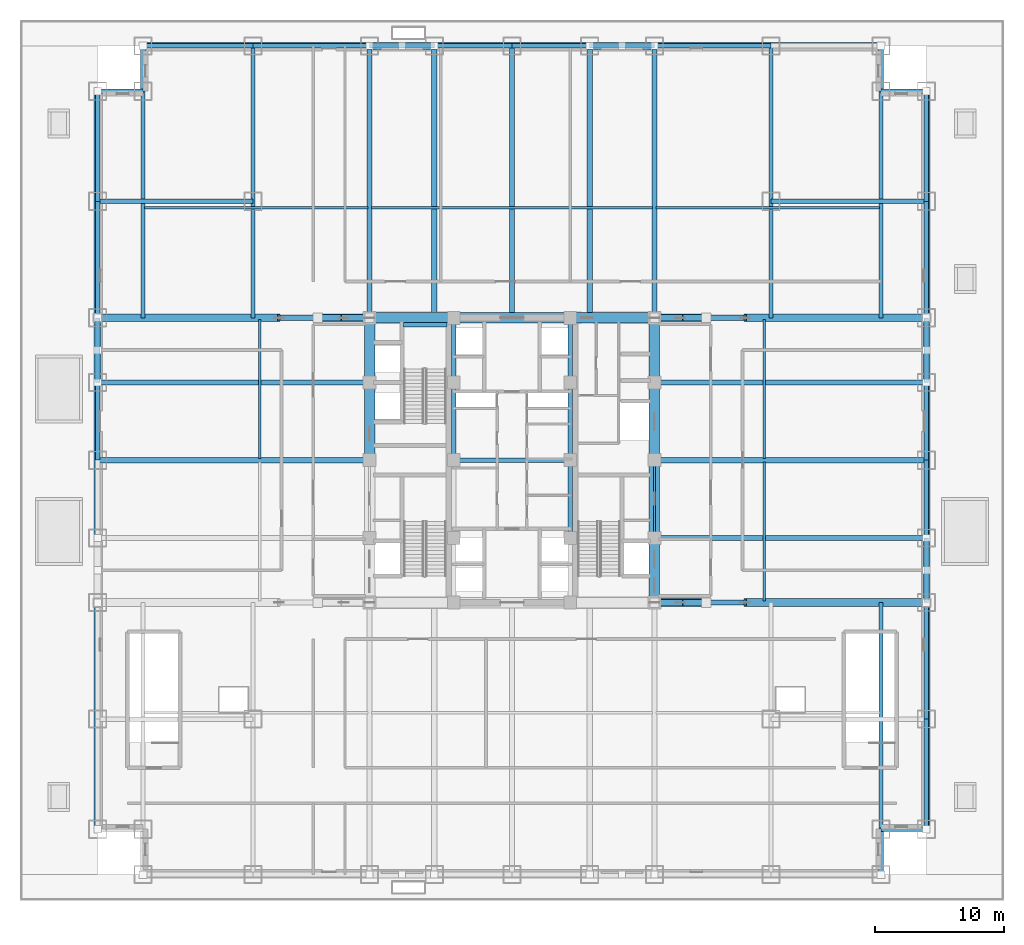
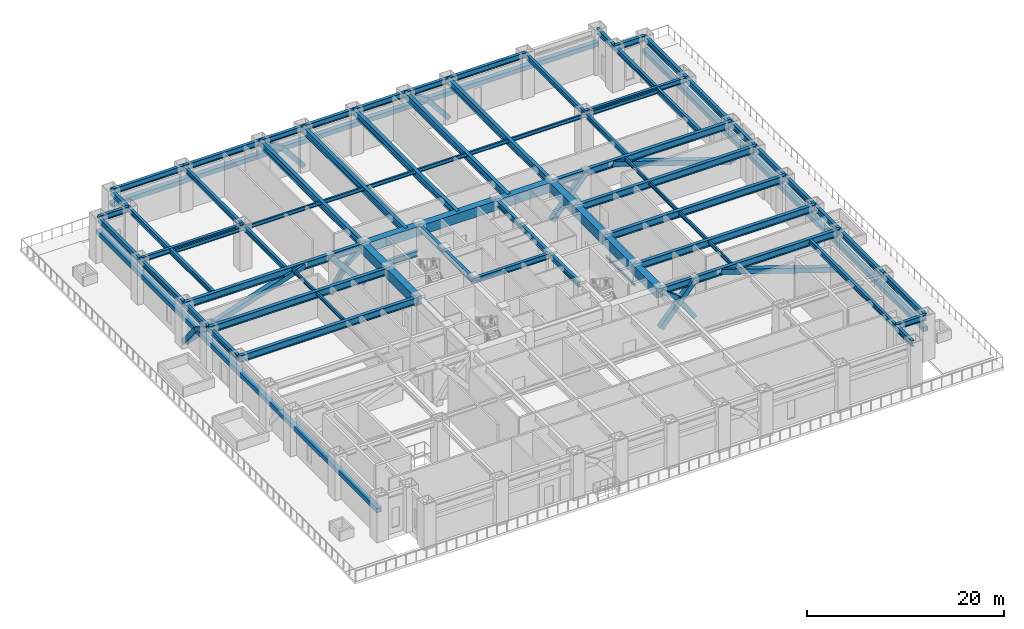
# One storey, part 2 of 21: 68 beams, 25 members.
"""IFC4 building model written with IfcOpenShell, lengths in metres."""

from ifc_helpers import new_model, si_unit, direction, frame, origin, origin_2d, place, context, subcontext, project, spatial, rectangle, hollow_rectangle, i_section, extrude, source, transform, mapped, material, material_profile, profile_set, type_object, element, save


model = new_model("IFC4")

# Units and contexts
model_context = context("Model", 3, precision=1e-05, world=origin(), true_north=direction((0.0, 1.0)))
body_context = subcontext(model_context, "Body", "Model", "MODEL_VIEW")
ifc_project = project(units=[si_unit("LENGTHUNIT", "METRE"), si_unit("AREAUNIT", "SQUARE_METRE"), si_unit("VOLUMEUNIT", "CUBIC_METRE"), si_unit("PLANEANGLEUNIT", "RADIAN"), si_unit("MASSUNIT", "GRAM", prefix="KILO")], contexts=[model_context])

# Site, building, storey
site_placement = place(None, origin())
site = spatial("IfcSite", under=ifc_project, at=site_placement, CompositionType="ELEMENT")
building_placement = place(site_placement, origin())
building = spatial("IfcBuilding", under=site, at=building_placement, Name="Khorayat Bourse Tower", CompositionType="ELEMENT")
storey_placement = place(building_placement, frame((0.0, 0.0, 27.0)))
storey = spatial("IfcBuildingStorey", under=building, at=storey_placement, Name="L05", CompositionType="ELEMENT", Elevation=27.0)

# Beams
ifc_material_1 = material(Name="Concrete C72/90", Category="concrete")
ifc_material_profile_1 = material_profile(ifc_material_1, rectangle(XDim=0.800048828125, YDim=1.199951171875, at=origin_2d()), Name="RC 800x1200")
ifc_profile_set_1 = profile_set([ifc_material_profile_1], Name="Concrete C72/90")
beam_type_1 = type_object("IfcBeamType", Name="BM-COUP-1200", PredefinedType="BEAM", material=ifc_profile_set_1)
shared_shape_1 = source(origin(), body_context, "Body", "SweptSolid", [
    extrude(rectangle(XDim=0.800048828125, YDim=1.199951171875, at=origin_2d()), origin(), (0.0, 0.0, 1.0), 5.0),
])
for number, where, z_axis, x_axis, name in (
    (1, (-11.0, 6.0, 4.739990234375), (0.0, 1.0, 0.0), (-1.0, 0.0, 0.0), "L05 BM-COUP-1200 BM-L05-CRX-04"),
    (2, (11.0, -11.0, 4.739990234375), (0.0, 1.0, 0.0), (-1.0, 0.0, 0.0), "L05 BM-COUP-1200 BM-L05-CRX-13"),
    (3, (11.0, 6.0, 4.739990234375), (0.0, 1.0, 0.0), (-1.0, 0.0, 0.0), "L05 BM-COUP-1200 BM-L05-CRX-16"),
):
    element("IfcBeam", number, at=place(storey_placement, frame(where, z_axis=z_axis, x_axis=x_axis)), inside=storey, type_object=beam_type_1, Name=name, PredefinedType="BEAM", context=body_context, shape_type="MappedRepresentation", body=[
        mapped(shared_shape_1, transform((0.0, 0.0, 0.0), scale=1.0)),
    ])
shared_shape_2 = source(origin(), body_context, "Body", "SweptSolid", [
    extrude(rectangle(XDim=0.800048828125, YDim=1.199951171875, at=origin_2d()), origin(), (0.0, 0.0, 1.0), 6.0),
])
for number, where, z_axis, x_axis, name in (
    (4, (-11.0, 0.0, 4.739990234375), (0.0, 1.0, 0.0), (-1.0, 0.0, 0.0), "L05 BM-COUP-1200 BM-L05-CRX-03"),
    (5, (11.0, -6.0, 4.739990234375), (0.0, 1.0, 0.0), (-1.0, 0.0, 0.0), "L05 BM-COUP-1200 BM-L05-CRX-14"),
    (6, (11.0, 0.0, 4.739990234375), (0.0, 1.0, 0.0), (-1.0, 0.0, 0.0), "L05 BM-COUP-1200 BM-L05-CRX-15"),
):
    element("IfcBeam", number, at=place(storey_placement, frame(where, z_axis=z_axis, x_axis=x_axis)), inside=storey, type_object=beam_type_1, Name=name, PredefinedType="BEAM", context=body_context, shape_type="MappedRepresentation", body=[
        mapped(shared_shape_2, transform((0.0, 0.0, 0.0), scale=1.0)),
    ])
ifc_material_2 = material(Name="Steel ASTM A992 Grade 50", Category="steel")
ifc_material_profile_2 = material_profile(ifc_material_2, i_section(OverallWidth=0.35498046875, OverallDepth=0.695068359375, WebThickness=0.015380859375, FlangeThickness=0.02490234375, FilletRadius=0.01806640625, at=origin_2d()), Name="W690X217")
ifc_profile_set_2 = profile_set([ifc_material_profile_2], Name="Steel ASTM A992 Grade 50")
beam_type_2 = type_object("IfcBeamType", Name="BM-GIRD-690", PredefinedType="BEAM", material=ifc_profile_set_2)
shared_shape_3 = source(origin(), body_context, "Body", "SweptSolid", [
    extrude(i_section(OverallWidth=0.35498046875, OverallDepth=0.695068359375, WebThickness=0.015380859375, FlangeThickness=0.02490234375, FilletRadius=0.01806640625, at=origin_2d()), origin(), (0.0, 0.0, 1.0), 5.0),
])
for number, where, z_axis, x_axis, name in (
    (7, (-4.5, 6.0, 4.992431640625), (0.0, 1.0, 0.0), (-1.0, 0.0, 0.0), "L05 BM-GIRD-690 BM-L05-CRX-08"),
    (8, (4.5, 6.0, 4.992431640625), (0.0, 1.0, 0.0), (-1.0, 0.0, 0.0), "L05 BM-GIRD-690 BM-L05-CRX-12"),
):
    element("IfcBeam", number, at=place(storey_placement, frame(where, z_axis=z_axis, x_axis=x_axis)), inside=storey, type_object=beam_type_2, Name=name, PredefinedType="BEAM", context=body_context, shape_type="MappedRepresentation", body=[
        mapped(shared_shape_3, transform((0.0, 0.0, 0.0), scale=1.0)),
    ])
shared_shape_4 = source(origin(), body_context, "Body", "SweptSolid", [
    extrude(i_section(OverallWidth=0.35498046875, OverallDepth=0.695068359375, WebThickness=0.015380859375, FlangeThickness=0.02490234375, FilletRadius=0.01806640625, at=origin_2d()), origin(), (0.0, 0.0, 1.0), 6.0),
])
for number, where, z_axis, x_axis, name in (
    (9, (-4.5, 0.0, 4.992431640625), (0.0, 1.0, 0.0), (-1.0, 0.0, 0.0), "L05 BM-GIRD-690 BM-L05-CRX-07"),
    (10, (4.5, -6.0, 4.992431640625), (0.0, 1.0, 0.0), (-1.0, 0.0, 0.0), "L05 BM-GIRD-690 BM-L05-CRX-10"),
    (11, (4.5, 0.0, 4.992431640625), (0.0, 1.0, 0.0), (-1.0, 0.0, 0.0), "L05 BM-GIRD-690 BM-L05-CRX-11"),
):
    element("IfcBeam", number, at=place(storey_placement, frame(where, z_axis=z_axis, x_axis=x_axis)), inside=storey, type_object=beam_type_2, Name=name, PredefinedType="BEAM", context=body_context, shape_type="MappedRepresentation", body=[
        mapped(shared_shape_4, transform((0.0, 0.0, 0.0), scale=1.0)),
    ])
shared_shape_5 = source(origin(), body_context, "Body", "SweptSolid", [
    extrude(rectangle(XDim=0.800048828125, YDim=1.199951171875, at=origin_2d()), origin(), (0.0, 0.0, 1.0), 6.5),
])
for number, where, z_axis, x_axis, name in (
    (12, (-11.0, 11.0, 4.739990234375), (1.0, 0.0, 0.0), (0.0, 1.0, 0.0), "L05 BM-COUP-1200 BM-L05-CRY-20"),
    (13, (4.5, 11.0, 4.739990234375), (1.0, 0.0, 0.0), (0.0, 1.0, 0.0), "L05 BM-COUP-1200 BM-L05-CRY-22"),
):
    element("IfcBeam", number, at=place(storey_placement, frame(where, z_axis=z_axis, x_axis=x_axis)), inside=storey, type_object=beam_type_1, Name=name, PredefinedType="BEAM", context=body_context, shape_type="MappedRepresentation", body=[
        mapped(shared_shape_5, transform((0.0, 0.0, 0.0), scale=1.0)),
    ])
shared_shape_6 = source(origin(), body_context, "Body", "SweptSolid", [
    extrude(rectangle(XDim=0.800048828125, YDim=1.199951171875, at=origin_2d()), origin(), (0.0, 0.0, 1.0), 9.0),
])
beam_1_placement = place(storey_placement, frame((-4.5, 11.0, 4.739990234375), z_axis=(1.0, 0.0, 0.0), x_axis=(0.0, 1.0, 0.0)))
element("IfcBeam", 14, at=beam_1_placement, inside=storey, type_object=beam_type_1, Name="L05 BM-COUP-1200 BM-L05-CRY-21", PredefinedType="BEAM", context=body_context, shape_type="MappedRepresentation", body=[
    mapped(shared_shape_6, transform((0.0, 0.0, 0.0), scale=1.0)),
])
shared_shape_7 = source(origin(), body_context, "Body", "SweptSolid", [
    extrude(i_section(OverallWidth=0.35498046875, OverallDepth=0.695068359375, WebThickness=0.015380859375, FlangeThickness=0.02490234375, FilletRadius=0.01806640625, at=origin_2d()), origin(), (0.0, 0.0, 1.0), 3.39990234375),
])
beam_2_placement = place(storey_placement, frame((-8.419921875, 10.449951171875, 2.25244140625), z_axis=(1.0, 0.0, 0.0), x_axis=(0.0, 1.0, 0.0)))
element("IfcBeam", 15, at=beam_2_placement, inside=storey, type_object=beam_type_2, Name="L05 BM-GIRD-690 BM-L05-ST2L", PredefinedType="BEAM", context=body_context, shape_type="MappedRepresentation", body=[
    mapped(shared_shape_7, transform((0.0, 0.0, 0.0), scale=1.0)),
])
shared_shape_8 = source(origin(), body_context, "Body", "SweptSolid", [
    extrude(i_section(OverallWidth=0.35498046875, OverallDepth=0.695068359375, WebThickness=0.015380859375, FlangeThickness=0.02490234375, FilletRadius=0.01806640625, at=origin_2d()), origin(), (0.0, 0.0, 1.0), 9.0),
])
beam_3_placement = place(storey_placement, frame((-4.5, 0.0, 4.992431640625), z_axis=(1.0, 0.0, 0.0), x_axis=(0.0, 1.0, 0.0)))
element("IfcBeam", 16, at=beam_3_placement, inside=storey, type_object=beam_type_2, Name="L05 BM-GIRD-690 BM-L05-CRY-23", PredefinedType="BEAM", context=body_context, shape_type="MappedRepresentation", body=[
    mapped(shared_shape_8, transform((0.0, 0.0, 0.0), scale=1.0)),
])
ifc_material_profile_3 = material_profile(ifc_material_2, i_section(OverallWidth=0.35498046875, OverallDepth=0.695068359375, WebThickness=0.015380859375, FlangeThickness=0.02490234375, FilletRadius=0.01806640625, at=origin_2d()), Name="W690X217")
ifc_profile_set_3 = profile_set([ifc_material_profile_3], Name="Steel ASTM A992 Grade 50")
beam_type_3 = type_object("IfcBeamType", Name="BM-SPAN-690", PredefinedType="SPANDREL", material=ifc_profile_set_3)
shared_shape_9 = source(origin(), body_context, "Body", "SweptSolid", [
    extrude(i_section(OverallWidth=0.35498046875, OverallDepth=0.695068359375, WebThickness=0.015380859375, FlangeThickness=0.02490234375, FilletRadius=0.01806640625, at=origin_2d()), origin(), (0.0, 0.0, 1.0), 8.5),
])
for number, where, z_axis, x_axis, name in (
    (17, (32.0, -28.5, 4.992431640625), (0.0, 1.0, 0.0), (-1.0, 0.0, 0.0), "L05 BM-SPAN-690 BM-L05-SPN-034"),
    (18, (32.0, 20.0, 4.992431640625), (0.0, 1.0, 0.0), (-1.0, 0.0, 0.0), "L05 BM-SPAN-690 BM-L05-SPN-041"),
    (19, (-28.5, 32.0, 4.992431640625), (1.0, 0.0, 0.0), (0.0, 1.0, 0.0), "L05 BM-SPAN-690 BM-L05-SPN-051"),
    (20, (-32.0, 20.0, 4.992431640625), (0.0, 1.0, 0.0), (-1.0, 0.0, 0.0), "L05 BM-SPAN-690 BM-L05-SPN-054"),
):
    element("IfcBeam", number, at=place(storey_placement, frame(where, z_axis=z_axis, x_axis=x_axis)), inside=storey, type_object=beam_type_3, Name=name, PredefinedType="SPANDREL", context=body_context, shape_type="MappedRepresentation", body=[
        mapped(shared_shape_9, transform((0.0, 0.0, 0.0), scale=1.0)),
    ])
shared_shape_10 = source(origin(), body_context, "Body", "SweptSolid", [
    extrude(i_section(OverallWidth=0.35498046875, OverallDepth=0.695068359375, WebThickness=0.015380859375, FlangeThickness=0.02490234375, FilletRadius=0.01806640625, at=origin_2d()), origin(), (0.0, 0.0, 1.0), 9.0),
])
for number, where, z_axis, x_axis, name in (
    (21, (32.0, -20.0, 4.992431640625), (0.0, 1.0, 0.0), (-1.0, 0.0, 0.0), "L05 BM-SPAN-690 BM-L05-SPN-035"),
    (22, (32.0, 11.0, 4.992431640625), (0.0, 1.0, 0.0), (-1.0, 0.0, 0.0), "L05 BM-SPAN-690 BM-L05-SPN-040"),
    (23, (11.0, 32.0, 4.992431640625), (1.0, 0.0, 0.0), (0.0, 1.0, 0.0), "L05 BM-SPAN-690 BM-L05-SPN-045"),
    (24, (-20.0, 32.0, 4.992431640625), (1.0, 0.0, 0.0), (0.0, 1.0, 0.0), "L05 BM-SPAN-690 BM-L05-SPN-050"),
    (25, (-32.0, 11.0, 4.992431640625), (0.0, 1.0, 0.0), (-1.0, 0.0, 0.0), "L05 BM-SPAN-690 BM-L05-SPN-055"),
):
    element("IfcBeam", number, at=place(storey_placement, frame(where, z_axis=z_axis, x_axis=x_axis)), inside=storey, type_object=beam_type_3, Name=name, PredefinedType="SPANDREL", context=body_context, shape_type="MappedRepresentation", body=[
        mapped(shared_shape_10, transform((0.0, 0.0, 0.0), scale=1.0)),
    ])
shared_shape_11 = source(origin(), body_context, "Body", "SweptSolid", [
    extrude(i_section(OverallWidth=0.35498046875, OverallDepth=0.695068359375, WebThickness=0.015380859375, FlangeThickness=0.02490234375, FilletRadius=0.01806640625, at=origin_2d()), origin(), (0.0, 0.0, 1.0), 5.0),
])
for number, where, z_axis, x_axis, name in (
    (26, (32.0, -11.0, 4.992431640625), (0.0, 1.0, 0.0), (-1.0, 0.0, 0.0), "L05 BM-SPAN-690 BM-L05-SPN-036"),
    (27, (32.0, 6.0, 4.992431640625), (0.0, 1.0, 0.0), (-1.0, 0.0, 0.0), "L05 BM-SPAN-690 BM-L05-SPN-039"),
    (28, (6.0, 32.0, 4.992431640625), (1.0, 0.0, 0.0), (0.0, 1.0, 0.0), "L05 BM-SPAN-690 BM-L05-SPN-046"),
    (29, (-11.0, 32.0, 4.992431640625), (1.0, 0.0, 0.0), (0.0, 1.0, 0.0), "L05 BM-SPAN-690 BM-L05-SPN-049"),
    (30, (-32.0, 6.0, 4.992431640625), (0.0, 1.0, 0.0), (-1.0, 0.0, 0.0), "L05 BM-SPAN-690 BM-L05-SPN-056"),
):
    element("IfcBeam", number, at=place(storey_placement, frame(where, z_axis=z_axis, x_axis=x_axis)), inside=storey, type_object=beam_type_3, Name=name, PredefinedType="SPANDREL", context=body_context, shape_type="MappedRepresentation", body=[
        mapped(shared_shape_11, transform((0.0, 0.0, 0.0), scale=1.0)),
    ])
shared_shape_12 = source(origin(), body_context, "Body", "SweptSolid", [
    extrude(i_section(OverallWidth=0.35498046875, OverallDepth=0.695068359375, WebThickness=0.015380859375, FlangeThickness=0.02490234375, FilletRadius=0.01806640625, at=origin_2d()), origin(), (0.0, 0.0, 1.0), 6.0),
])
for number, where, z_axis, x_axis, name in (
    (31, (32.0, -6.0, 4.992431640625), (0.0, 1.0, 0.0), (-1.0, 0.0, 0.0), "L05 BM-SPAN-690 BM-L05-SPN-037"),
    (32, (32.0, 0.0, 4.992431640625), (0.0, 1.0, 0.0), (-1.0, 0.0, 0.0), "L05 BM-SPAN-690 BM-L05-SPN-038"),
    (33, (0.0, 32.0, 4.992431640625), (1.0, 0.0, 0.0), (0.0, 1.0, 0.0), "L05 BM-SPAN-690 BM-L05-SPN-047"),
    (34, (-6.0, 32.0, 4.992431640625), (1.0, 0.0, 0.0), (0.0, 1.0, 0.0), "L05 BM-SPAN-690 BM-L05-SPN-048"),
    (35, (-32.0, 0.0, 4.992431640625), (0.0, 1.0, 0.0), (-1.0, 0.0, 0.0), "L05 BM-SPAN-690 BM-L05-SPN-057"),
):
    element("IfcBeam", number, at=place(storey_placement, frame(where, z_axis=z_axis, x_axis=x_axis)), inside=storey, type_object=beam_type_3, Name=name, PredefinedType="SPANDREL", context=body_context, shape_type="MappedRepresentation", body=[
        mapped(shared_shape_12, transform((0.0, 0.0, 0.0), scale=1.0)),
    ])
shared_shape_13 = source(origin(), body_context, "Body", "SweptSolid", [
    extrude(i_section(OverallWidth=0.35498046875, OverallDepth=0.695068359375, WebThickness=0.015380859375, FlangeThickness=0.02490234375, FilletRadius=0.01806640625, at=origin_2d()), origin(), (0.0, 0.0, 1.0), 3.5),
])
for number, where, z_axis, x_axis, name in (
    (36, (28.5, -32.0, 4.992431640625), (0.0, 1.0, 0.0), (-1.0, 0.0, 0.0), "L05 BM-SPAN-690 BM-L05-SPN-032"),
    (37, (28.5, -28.5, 4.992431640625), (1.0, 0.0, 0.0), (0.0, 1.0, 0.0), "L05 BM-SPAN-690 BM-L05-SPN-033"),
    (38, (28.5, 28.5, 4.992431640625), (1.0, 0.0, 0.0), (0.0, 1.0, 0.0), "L05 BM-SPAN-690 BM-L05-SPN-042"),
    (39, (28.5, 28.5, 4.992431640625), (0.0, 1.0, 0.0), (-1.0, 0.0, 0.0), "L05 BM-SPAN-690 BM-L05-SPN-043"),
    (40, (-28.5, 28.5, 4.992431640625), (0.0, 1.0, 0.0), (-1.0, 0.0, 0.0), "L05 BM-SPAN-690 BM-L05-SPN-052"),
    (41, (-32.0, 28.5, 4.992431640625), (1.0, 0.0, 0.0), (0.0, 1.0, 0.0), "L05 BM-SPAN-690 BM-L05-SPN-053"),
):
    element("IfcBeam", number, at=place(storey_placement, frame(where, z_axis=z_axis, x_axis=x_axis)), inside=storey, type_object=beam_type_3, Name=name, PredefinedType="SPANDREL", context=body_context, shape_type="MappedRepresentation", body=[
        mapped(shared_shape_13, transform((0.0, 0.0, 0.0), scale=1.0)),
    ])
ifc_material_profile_4 = material_profile(ifc_material_2, i_section(OverallWidth=0.39990234375, OverallDepth=0.85498046875, WebThickness=0.018310546875, FlangeThickness=0.029296875, FilletRadius=0.02001953125, at=origin_2d()), Name="W840X299")
ifc_profile_set_4 = profile_set([ifc_material_profile_4], Name="Steel ASTM A992 Grade 50")
beam_type_4 = type_object("IfcBeamType", Name="BM-GIRD-840", PredefinedType="BEAM", material=ifc_profile_set_4)
shared_shape_14 = source(origin(), body_context, "Body", "SweptSolid", [
    extrude(i_section(OverallWidth=0.39990234375, OverallDepth=0.85498046875, WebThickness=0.018310546875, FlangeThickness=0.029296875, FilletRadius=0.02001953125, at=origin_2d()), origin(), (0.0, 0.0, 1.0), 21.0),
])
for number, where, z_axis, x_axis, name in (
    (42, (-11.0, 11.0, 4.91259765625), (0.0, 1.0, 0.0), (-1.0, 0.0, 0.0), "L05 BM-GIRD-840 BM-L05-RADY-064"),
    (43, (-6.0, 11.0, 4.91259765625), (0.0, 1.0, 0.0), (-1.0, 0.0, 0.0), "L05 BM-GIRD-840 BM-L05-RADY-066"),
    (44, (0.0, 11.0, 4.91259765625), (0.0, 1.0, 0.0), (-1.0, 0.0, 0.0), "L05 BM-GIRD-840 BM-L05-RADY-068"),
    (45, (6.0, 11.0, 4.91259765625), (0.0, 1.0, 0.0), (-1.0, 0.0, 0.0), "L05 BM-GIRD-840 BM-L05-RADY-070"),
    (46, (11.0, 11.0, 4.91259765625), (0.0, 1.0, 0.0), (-1.0, 0.0, 0.0), "L05 BM-GIRD-840 BM-L05-RADY-072"),
    (47, (11.0, -11.0, 4.91259765625), (1.0, 0.0, 0.0), (0.0, 1.0, 0.0), "L05 BM-GIRD-840 BM-L05-RADX-074"),
    (48, (11.0, -6.0, 4.91259765625), (1.0, 0.0, 0.0), (0.0, 1.0, 0.0), "L05 BM-GIRD-840 BM-L05-RADX-076"),
    (49, (11.0, 0.0, 4.91259765625), (1.0, 0.0, 0.0), (0.0, 1.0, 0.0), "L05 BM-GIRD-840 BM-L05-RADX-078"),
    (50, (-32.0, 0.0, 4.91259765625), (1.0, 0.0, 0.0), (0.0, 1.0, 0.0), "L05 BM-GIRD-840 BM-L05-RADX-079"),
    (51, (11.0, 6.0, 4.91259765625), (1.0, 0.0, 0.0), (0.0, 1.0, 0.0), "L05 BM-GIRD-840 BM-L05-RADX-080"),
    (52, (-32.0, 6.0, 4.91259765625), (1.0, 0.0, 0.0), (0.0, 1.0, 0.0), "L05 BM-GIRD-840 BM-L05-RADX-081"),
    (53, (11.0, 11.0, 4.91259765625), (1.0, 0.0, 0.0), (0.0, 1.0, 0.0), "L05 BM-GIRD-840 BM-L05-RADX-082"),
    (54, (-32.0, 11.0, 4.91259765625), (1.0, 0.0, 0.0), (0.0, 1.0, 0.0), "L05 BM-GIRD-840 BM-L05-RADX-083"),
):
    element("IfcBeam", number, at=place(storey_placement, frame(where, z_axis=z_axis, x_axis=x_axis)), inside=storey, type_object=beam_type_4, Name=name, PredefinedType="BEAM", context=body_context, shape_type="MappedRepresentation", body=[
        mapped(shared_shape_14, transform((0.0, 0.0, 0.0), scale=1.0)),
    ])
ifc_material_profile_5 = material_profile(ifc_material_2, i_section(OverallWidth=0.324951171875, OverallDepth=0.615966796875, WebThickness=0.013916015625, FlangeThickness=0.021484375, FilletRadius=0.01611328125, at=origin_2d()), Name="W610X174")
ifc_profile_set_5 = profile_set([ifc_material_profile_5], Name="Steel ASTM A992 Grade 50")
beam_type_5 = type_object("IfcBeamType", Name="BM-GIRD-610", PredefinedType="BEAM", material=ifc_profile_set_5)
shared_shape_15 = source(origin(), body_context, "Body", "SweptSolid", [
    extrude(i_section(OverallWidth=0.324951171875, OverallDepth=0.615966796875, WebThickness=0.013916015625, FlangeThickness=0.021484375, FilletRadius=0.01611328125, at=origin_2d()), origin(), (0.0, 0.0, 1.0), 21.0),
])
for number, where, z_axis, x_axis, name in (
    (55, (-20.0, 11.0, 5.031982421875), (0.0, 1.0, 0.0), (-1.0, 0.0, 0.0), "L05 BM-GIRD-610 BM-L05-CNRY-085"),
    (56, (20.0, 11.0, 5.031982421875), (0.0, 1.0, 0.0), (-1.0, 0.0, 0.0), "L05 BM-GIRD-610 BM-L05-CNRY-087"),
):
    element("IfcBeam", number, at=place(storey_placement, frame(where, z_axis=z_axis, x_axis=x_axis)), inside=storey, type_object=beam_type_5, Name=name, PredefinedType="BEAM", context=body_context, shape_type="MappedRepresentation", body=[
        mapped(shared_shape_15, transform((0.0, 0.0, 0.0), scale=1.0)),
    ])
shared_shape_16 = source(origin(), body_context, "Body", "SweptSolid", [
    extrude(i_section(OverallWidth=0.324951171875, OverallDepth=0.615966796875, WebThickness=0.013916015625, FlangeThickness=0.021484375, FilletRadius=0.01611328125, at=origin_2d()), origin(), (0.0, 0.0, 1.0), 17.5),
])
for number, where, z_axis, x_axis, name in (
    (57, (-28.5, 11.0, 5.031982421875), (0.0, 1.0, 0.0), (-1.0, 0.0, 0.0), "L05 BM-GIRD-610 BM-L05-CNRY-089"),
    (58, (28.5, -28.5, 5.031982421875), (0.0, 1.0, 0.0), (-1.0, 0.0, 0.0), "L05 BM-GIRD-610 BM-L05-CNRY-090"),
    (59, (28.5, 11.0, 5.031982421875), (0.0, 1.0, 0.0), (-1.0, 0.0, 0.0), "L05 BM-GIRD-610 BM-L05-CNRY-091"),
):
    element("IfcBeam", number, at=place(storey_placement, frame(where, z_axis=z_axis, x_axis=x_axis)), inside=storey, type_object=beam_type_5, Name=name, PredefinedType="BEAM", context=body_context, shape_type="MappedRepresentation", body=[
        mapped(shared_shape_16, transform((0.0, 0.0, 0.0), scale=1.0)),
    ])
shared_shape_17 = source(origin(), body_context, "Body", "SweptSolid", [
    extrude(i_section(OverallWidth=0.324951171875, OverallDepth=0.615966796875, WebThickness=0.013916015625, FlangeThickness=0.021484375, FilletRadius=0.01611328125, at=origin_2d()), origin(), (0.0, 0.0, 1.0), 12.0),
])
for number, where, z_axis, x_axis, name in (
    (60, (20.0, 20.0, 5.031982421875), (1.0, 0.0, 0.0), (0.0, 1.0, 0.0), "L05 BM-GIRD-610 BM-L05-CNRX-094"),
    (61, (-32.0, 20.0, 5.031982421875), (1.0, 0.0, 0.0), (0.0, 1.0, 0.0), "L05 BM-GIRD-610 BM-L05-CNRX-095"),
):
    element("IfcBeam", number, at=place(storey_placement, frame(where, z_axis=z_axis, x_axis=x_axis)), inside=storey, type_object=beam_type_5, Name=name, PredefinedType="BEAM", context=body_context, shape_type="MappedRepresentation", body=[
        mapped(shared_shape_17, transform((0.0, 0.0, 0.0), scale=1.0)),
    ])
ifc_material_profile_6 = material_profile(ifc_material_2, i_section(OverallWidth=0.194091796875, OverallDepth=0.468994140625, WebThickness=0.0126953125, FlangeThickness=0.0205078125, FilletRadius=0.012939453125, at=origin_2d()), Name="W460X106")
ifc_profile_set_6 = profile_set([ifc_material_profile_6], Name="Steel ASTM A992 Grade 50")
beam_type_6 = type_object("IfcBeamType", Name="BM-JOIST-460", PredefinedType="JOIST", material=ifc_profile_set_6)
shared_shape_18 = source(origin(), body_context, "Body", "SweptSolid", [
    extrude(i_section(OverallWidth=0.194091796875, OverallDepth=0.468994140625, WebThickness=0.0126953125, FlangeThickness=0.0205078125, FilletRadius=0.012939453125, at=origin_2d()), origin(), (0.0, 0.0, 1.0), 17.240234375),
])
for number, where, z_axis, x_axis, name in (
    (62, (-28.3701171875, 19.5, 5.10546875), (1.0, 0.0, 0.0), (0.0, 1.0, 0.0), "L05 BM-JOIST-460 BM-L05-JSTX-099"),
    (63, (11.1298828125, 19.5, 5.10546875), (1.0, 0.0, 0.0), (0.0, 1.0, 0.0), "L05 BM-JOIST-460 BM-L05-JSTX-101"),
):
    element("IfcBeam", number, at=place(storey_placement, frame(where, z_axis=z_axis, x_axis=x_axis)), inside=storey, type_object=beam_type_6, Name=name, PredefinedType="JOIST", context=body_context, shape_type="MappedRepresentation", body=[
        mapped(shared_shape_18, transform((0.0, 0.0, 0.0), scale=1.0)),
    ])
shared_shape_19 = source(origin(), body_context, "Body", "SweptSolid", [
    extrude(i_section(OverallWidth=0.194091796875, OverallDepth=0.468994140625, WebThickness=0.0126953125, FlangeThickness=0.0205078125, FilletRadius=0.012939453125, at=origin_2d()), origin(), (0.0, 0.0, 1.0), 21.740234375),
])
beam_4_placement = place(storey_placement, frame((-10.8701171875, 19.5, 5.10546875), z_axis=(1.0, 0.0, 0.0), x_axis=(0.0, 1.0, 0.0)))
element("IfcBeam", 64, at=beam_4_placement, inside=storey, type_object=beam_type_6, Name="L05 BM-JOIST-460 BM-L05-JSTX-100", PredefinedType="JOIST", context=body_context, shape_type="MappedRepresentation", body=[
    mapped(shared_shape_19, transform((0.0, 0.0, 0.0), scale=1.0)),
])
shared_shape_20 = source(origin(), body_context, "Body", "SweptSolid", [
    extrude(i_section(OverallWidth=0.194091796875, OverallDepth=0.468994140625, WebThickness=0.0126953125, FlangeThickness=0.0205078125, FilletRadius=0.012939453125, at=origin_2d()), origin(), (0.0, 0.0, 1.0), 10.740234375),
])
for number, where, z_axis, x_axis, name in (
    (65, (-19.5, 0.1298828125, 5.10546875), (0.0, 1.0, 0.0), (-1.0, 0.0, 0.0), "L05 BM-JOIST-460 BM-L05-JSTY-103"),
    (66, (19.5, -10.8701171875, 5.10546875), (0.0, 1.0, 0.0), (-1.0, 0.0, 0.0), "L05 BM-JOIST-460 BM-L05-JSTY-104"),
    (67, (19.5, 0.1298828125, 5.10546875), (0.0, 1.0, 0.0), (-1.0, 0.0, 0.0), "L05 BM-JOIST-460 BM-L05-JSTY-105"),
):
    element("IfcBeam", number, at=place(storey_placement, frame(where, z_axis=z_axis, x_axis=x_axis)), inside=storey, type_object=beam_type_6, Name=name, PredefinedType="JOIST", context=body_context, shape_type="MappedRepresentation", body=[
        mapped(shared_shape_20, transform((0.0, 0.0, 0.0), scale=1.0)),
    ])

# Members
ifc_material_3 = material(Name="Steel EN 10025-4 S460M", Category="steel")
ifc_material_profile_7 = material_profile(ifc_material_3, hollow_rectangle(XDim=0.550048828125, YDim=0.550048828125, WallThickness=0.031982421875, at=origin_2d()), Name="HSS 550x550x32")
ifc_profile_set_7 = profile_set([ifc_material_profile_7], Name="Steel EN 10025-4 S460M")
member_type_1 = type_object("IfcMemberType", Name="MBR-TUBE-550", PredefinedType="BRACE", material=ifc_profile_set_7)
shared_shape_21 = source(origin(), body_context, "Body", "SweptSolid", [
    extrude(hollow_rectangle(XDim=0.550048828125, YDim=0.550048828125, WallThickness=0.031982421875, at=origin_2d()), origin(), (0.0, 0.0, 1.0), 2.936279296875),
])
for number, where, z_axis, x_axis, name in (
    (68, (-11.0, 32.0, 4.989990234375), (0.851418423545, 0.0, -0.524487052317), (0.0, 1.0, 0.0), "L05 Perimeter Tube Brace 05"),
    (69, (6.0, 32.0, 4.989990234375), (0.851418423545, 0.0, -0.524487052317), (0.0, 1.0, 0.0), "L05 Perimeter Tube Brace 07"),
    (70, (-32.0, 6.0, 4.989990234375), (0.0, 0.851418423545, -0.524487052317), (-1.0, 0.0, 0.0), "L05 Perimeter Tube Brace 11"),
    (71, (32.0, -11.0, 4.989990234375), (0.0, 0.851418423545, -0.524487052317), (-1.0, 0.0, 0.0), "L05 Perimeter Tube Brace 13"),
    (72, (32.0, 6.0, 4.989990234375), (0.0, 0.851418423545, -0.524487052317), (-1.0, 0.0, 0.0), "L05 Perimeter Tube Brace 15"),
):
    element("IfcMember", number, at=place(storey_placement, frame(where, z_axis=z_axis, x_axis=x_axis)), inside=storey, type_object=member_type_1, Name=name, PredefinedType="BRACE", context=body_context, shape_type="MappedRepresentation", body=[
        mapped(shared_shape_21, transform((0.0, 0.0, 0.0), scale=1.0)),
    ])
shared_shape_22 = source(origin(), body_context, "Body", "SweptSolid", [
    extrude(hollow_rectangle(XDim=0.550048828125, YDim=0.550048828125, WallThickness=0.031982421875, at=origin_2d()), origin(), (0.0, 0.0, 1.0), 3.982421875),
])
for number, where, z_axis, x_axis, name in (
    (73, (-8.5, 32.0, 3.449951171875), (0.627770425268, 0.0, -0.778398543909), (0.0, 1.0, 0.0), "L05 Perimeter Tube Brace 06"),
    (74, (8.5, 32.0, 3.449951171875), (0.627770425268, 0.0, -0.778398543909), (0.0, 1.0, 0.0), "L05 Perimeter Tube Brace 08"),
    (75, (-32.0, 8.5, 3.449951171875), (0.0, 0.627770425268, -0.778398543909), (-1.0, 0.0, 0.0), "L05 Perimeter Tube Brace 12"),
    (76, (32.0, -8.5, 3.449951171875), (0.0, 0.627770425268, -0.778398543909), (-1.0, 0.0, 0.0), "L05 Perimeter Tube Brace 14"),
    (77, (32.0, 8.5, 3.449951171875), (0.0, 0.627770425268, -0.778398543909), (-1.0, 0.0, 0.0), "L05 Perimeter Tube Brace 16"),
):
    element("IfcMember", number, at=place(storey_placement, frame(where, z_axis=z_axis, x_axis=x_axis)), inside=storey, type_object=member_type_1, Name=name, PredefinedType="BRACE", context=body_context, shape_type="MappedRepresentation", body=[
        mapped(shared_shape_22, transform((0.0, 0.0, 0.0), scale=1.0)),
    ])
ifc_material_profile_8 = material_profile(ifc_material_3, hollow_rectangle(XDim=0.60009765625, YDim=0.60009765625, WallThickness=0.034912109375, at=origin_2d()), Name="BOX 600x600x35")
ifc_profile_set_8 = profile_set([ifc_material_profile_8], Name="Steel EN 10025-4 S460M")
member_type_2 = type_object("IfcMemberType", Name="MBR-OUTRIG-600", PredefinedType="BRACE", material=ifc_profile_set_8)
shared_shape_23 = source(origin(), body_context, "Body", "SweptSolid", [
    extrude(hollow_rectangle(XDim=0.60009765625, YDim=0.60009765625, WallThickness=0.034912109375, at=origin_2d()), origin(), (0.0, 0.0, 1.0), 6.1259765625),
])
for number, where, z_axis, x_axis, name in (
    (78, (-11.0, 11.0, 0.35009765625), (-0.652948293953, 0.0, 0.757402485753), (0.0, -1.0, 0.0), "L05 Outrigger Truss Diagonal 03"),
    (79, (11.0, -11.0, 0.35009765625), (0.652948293953, 0.0, 0.757402485753), (0.0, 1.0, 0.0), "L05 Outrigger Truss Diagonal 05"),
    (80, (11.0, 11.0, 0.35009765625), (0.652948293953, 0.0, 0.757402485753), (0.0, 1.0, 0.0), "L05 Outrigger Truss Diagonal 07"),
):
    element("IfcMember", number, at=place(storey_placement, frame(where, z_axis=z_axis, x_axis=x_axis)), inside=storey, type_object=member_type_2, Name=name, PredefinedType="BRACE", context=body_context, shape_type="MappedRepresentation", body=[
        mapped(shared_shape_23, transform((0.0, 0.0, 0.0), scale=1.0)),
    ])
shared_shape_24 = source(origin(), body_context, "Body", "SweptSolid", [
    extrude(hollow_rectangle(XDim=0.60009765625, YDim=0.60009765625, WallThickness=0.034912109375, at=origin_2d()), origin(), (0.0, 0.0, 1.0), 14.748779296875),
])
for number, where, z_axis, x_axis, name in (
    (81, (-18.0, 11.0, 4.989990234375), (-0.949226491363, 0.0, -0.314593496588), (0.0, -1.0, 0.0), "L05 Outrigger Truss Diagonal 04"),
    (82, (18.0, -11.0, 4.989990234375), (0.949226491363, 0.0, -0.314593496588), (0.0, 1.0, 0.0), "L05 Outrigger Truss Diagonal 06"),
    (83, (18.0, 11.0, 4.989990234375), (0.949226491363, 0.0, -0.314593496588), (0.0, 1.0, 0.0), "L05 Outrigger Truss Diagonal 08"),
):
    element("IfcMember", number, at=place(storey_placement, frame(where, z_axis=z_axis, x_axis=x_axis)), inside=storey, type_object=member_type_2, Name=name, PredefinedType="BRACE", context=body_context, shape_type="MappedRepresentation", body=[
        mapped(shared_shape_24, transform((0.0, 0.0, 0.0), scale=1.0)),
    ])
ifc_material_profile_9 = material_profile(ifc_material_3, hollow_rectangle(XDim=0.5, YDim=0.5, WallThickness=0.028076171875, at=origin_2d()), Name="HSS 500x500x28")
ifc_profile_set_9 = profile_set([ifc_material_profile_9], Name="Steel EN 10025-4 S460M")
member_type_3 = type_object("IfcMemberType", Name="MBR-TRUSS-500", PredefinedType="CHORD", material=ifc_profile_set_9)
shared_shape_25 = source(origin(), body_context, "Body", "SweptSolid", [
    extrude(hollow_rectangle(XDim=0.5, YDim=0.5, WallThickness=0.028076171875, at=origin_2d()), origin(), (0.0, 0.0, 1.0), 2.524169921875),
])
for number, where, z_axis, x_axis, name in (
    (84, (-11.0, 11.0, 4.989990234375), (-0.792321869771, 0.0, -0.610103314761), (0.0, -1.0, 0.0), "L05 Plant Belt Web Diagonal 03"),
    (85, (11.0, -11.0, 4.989990234375), (0.792321869771, 0.0, -0.610103314761), (0.0, 1.0, 0.0), "L05 Plant Belt Web Diagonal 05"),
    (86, (11.0, 11.0, 4.989990234375), (0.792321869771, 0.0, -0.610103314761), (0.0, 1.0, 0.0), "L05 Plant Belt Web Diagonal 07"),
):
    element("IfcMember", number, at=place(storey_placement, frame(where, z_axis=z_axis, x_axis=x_axis)), inside=storey, type_object=member_type_3, Name=name, PredefinedType="CHORD", context=body_context, shape_type="MappedRepresentation", body=[
        mapped(shared_shape_25, transform((0.0, 0.0, 0.0), scale=1.0)),
    ])
shared_shape_26 = source(origin(), body_context, "Body", "SweptSolid", [
    extrude(hollow_rectangle(XDim=0.5, YDim=0.5, WallThickness=0.028076171875, at=origin_2d()), origin(), (0.0, 0.0, 1.0), 3.68896484375),
])
for number, where, z_axis, x_axis, name in (
    (87, (-13.0, 11.0, 3.449951171875), (-0.542144958519, 0.0, -0.840284977822), (0.0, -1.0, 0.0), "L05 Plant Belt Web Diagonal 04"),
    (88, (13.0, -11.0, 3.449951171875), (0.542144958519, 0.0, -0.840284977822), (0.0, 1.0, 0.0), "L05 Plant Belt Web Diagonal 06"),
    (89, (13.0, 11.0, 3.449951171875), (0.542144958519, 0.0, -0.840284977822), (0.0, 1.0, 0.0), "L05 Plant Belt Web Diagonal 08"),
):
    element("IfcMember", number, at=place(storey_placement, frame(where, z_axis=z_axis, x_axis=x_axis)), inside=storey, type_object=member_type_3, Name=name, PredefinedType="CHORD", context=body_context, shape_type="MappedRepresentation", body=[
        mapped(shared_shape_26, transform((0.0, 0.0, 0.0), scale=1.0)),
    ])
ifc_material_profile_10 = material_profile(ifc_material_3, hollow_rectangle(XDim=0.550048828125, YDim=0.550048828125, WallThickness=0.031982421875, at=origin_2d()), Name="HSS 550x550x32")
ifc_profile_set_10 = profile_set([ifc_material_profile_10], Name="Steel EN 10025-4 S460M")
member_type_4 = type_object("IfcMemberType", Name="MBR-BELT-550", PredefinedType="CHORD", material=ifc_profile_set_10)
shared_shape_27 = source(origin(), body_context, "Body", "SweptSolid", [
    extrude(hollow_rectangle(XDim=0.550048828125, YDim=0.550048828125, WallThickness=0.031982421875, at=origin_2d()), origin(), (0.0, 0.0, 1.0), 57.0),
])
for number, where, z_axis, x_axis, name in (
    (90, (-28.5, 32.0, 3.449951171875), (1.0, 0.0, 0.0), (0.0, 1.0, 0.0), "L05 Belt Truss Mid Chord 02"),
    (91, (-32.0, -28.5, 3.449951171875), (0.0, 1.0, 0.0), (-1.0, 0.0, 0.0), "L05 Belt Truss Mid Chord 03"),
    (92, (32.0, -28.5, 3.449951171875), (0.0, 1.0, 0.0), (-1.0, 0.0, 0.0), "L05 Belt Truss Mid Chord 04"),
):
    element("IfcMember", number, at=place(storey_placement, frame(where, z_axis=z_axis, x_axis=x_axis)), inside=storey, type_object=member_type_4, Name=name, PredefinedType="CHORD", context=body_context, shape_type="MappedRepresentation", body=[
        mapped(shared_shape_27, transform((0.0, 0.0, 0.0), scale=1.0)),
    ])

# Beam
ifc_material_profile_11 = material_profile(ifc_material_2, i_section(OverallWidth=0.14697265625, OverallDepth=0.261962890625, WebThickness=0.006591796875, FlangeThickness=0.01123046875, FilletRadius=0.008056640625, at=origin_2d()), Name="W250X39")
ifc_profile_set_11 = profile_set([ifc_material_profile_11], Name="Steel ASTM A992 Grade 50")
beam_type_7 = type_object("IfcBeamType", Name="BM-LINTEL-250", PredefinedType="LINTEL", material=ifc_profile_set_11)
shared_shape_28 = source(origin(), body_context, "Body", "SweptSolid", [
    extrude(i_section(OverallWidth=0.14697265625, OverallDepth=0.261962890625, WebThickness=0.006591796875, FlangeThickness=0.01123046875, FilletRadius=0.008056640625, at=origin_2d()), origin(), (0.0, 0.0, 1.0), 6.0),
])
beam_5_placement = place(storey_placement, frame((11.0, -6.0, 2.550048828125), z_axis=(0.0, 1.0, 0.0), x_axis=(-1.0, 0.0, 0.0)))
element("IfcBeam", 93, at=beam_5_placement, inside=storey, type_object=beam_type_7, Name="L05 Core Opening Lintel 02", PredefinedType="LINTEL", context=body_context, shape_type="MappedRepresentation", body=[
    mapped(shared_shape_28, transform((0.0, 0.0, 0.0), scale=1.0)),
])

save(model, "model.ifc")
